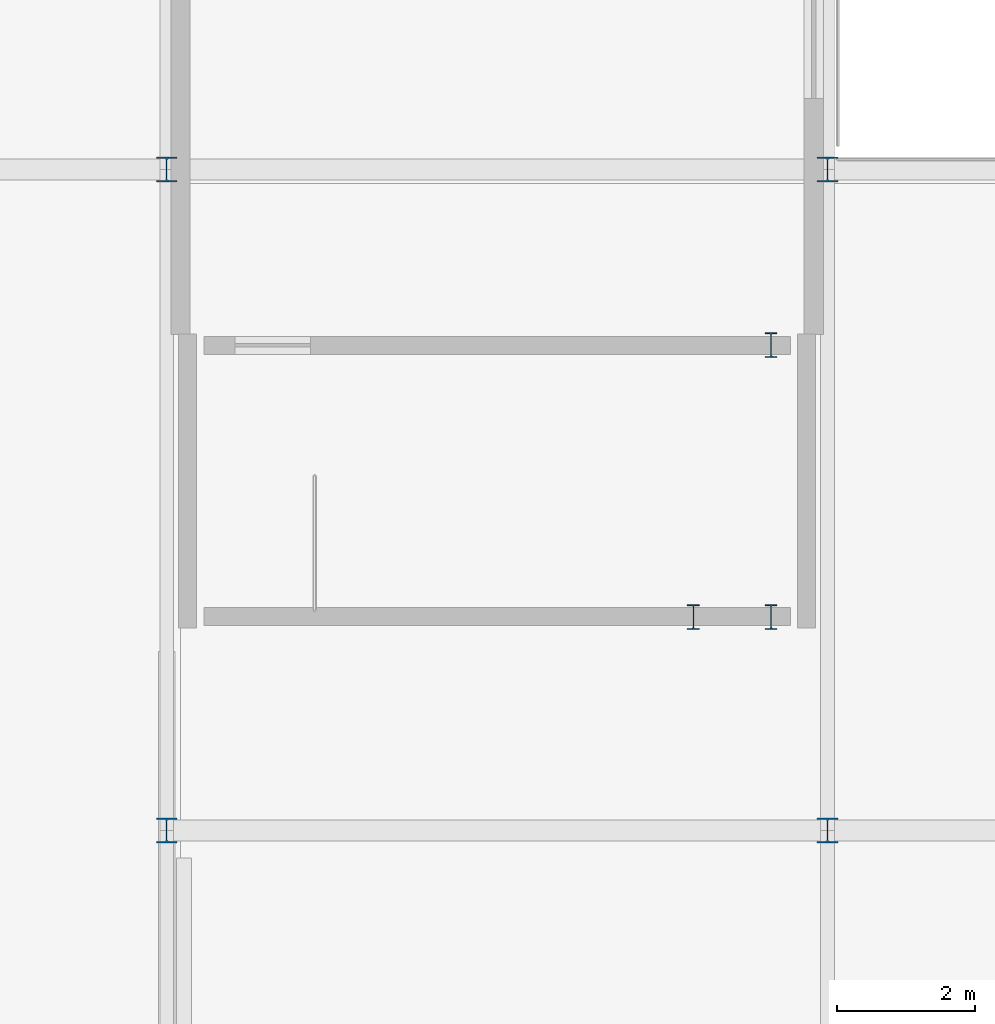
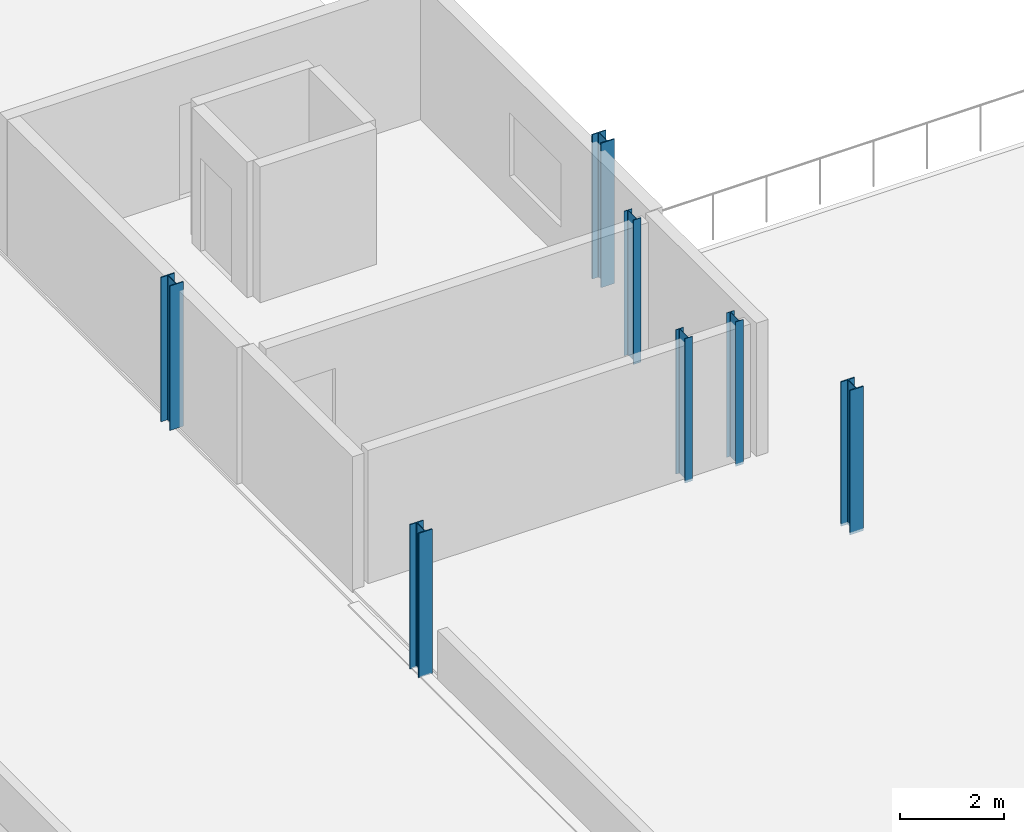
# One storey, part 1 of 53: 7 columns.
"""IFC4 building model written with IfcOpenShell, lengths in metres."""

from ifc_helpers import new_model, si_unit, direction, frame, origin, origin_2d, place, context, subcontext, project, spatial, i_section, extrude, material, material_profile, profile_set, type_object, element, save


model = new_model("IFC4")

# Units and contexts
model_context = context("Model", 3, precision=1e-05, world=origin(), true_north=direction((0.0, 1.0)))
body_context = subcontext(model_context, "Body", "Model", "MODEL_VIEW")
ifc_project = project(units=[si_unit("LENGTHUNIT", "METRE"), si_unit("AREAUNIT", "SQUARE_METRE"), si_unit("VOLUMEUNIT", "CUBIC_METRE"), si_unit("PLANEANGLEUNIT", "RADIAN"), si_unit("MASSUNIT", "GRAM", prefix="KILO")], contexts=[model_context])

# Site, building, storey
site_placement = place(None, origin())
site = spatial("IfcSite", under=ifc_project, at=site_placement, CompositionType="ELEMENT")
building_placement = place(site_placement, origin())
building = spatial("IfcBuilding", under=site, at=building_placement, Name="Zevrakil Square Congress Hotel", CompositionType="ELEMENT")
storey_placement = place(building_placement, frame((0.0, 0.0, 14.699951171875)))
storey = spatial("IfcBuildingStorey", under=building, at=storey_placement, Name="L04", CompositionType="ELEMENT", Elevation=14.699951171875)

# Columns
ifc_material_1 = material(Name="Steel S355", Category="steel")
ifc_material_profile_1 = material_profile(ifc_material_1, i_section(OverallWidth=0.300048828125, OverallDepth=0.360107421875, WebThickness=0.012451171875, FlangeThickness=0.0224609375, FilletRadius=0.027099609375, at=origin_2d()), Name="HEB 360")
ifc_profile_set_1 = profile_set([ifc_material_profile_1], Name="Steel S355")
column_type_1 = type_object("IfcColumnType", Name="COL-HEB360", PredefinedType="COLUMN", material=ifc_profile_set_1)
for number, where, z_axis, x_axis, name in (
    (1, (55.199951171875, 36.0, 0.0), (0.0, 0.0, 1.0), (1.0, 0.0, 0.0), "L04 column C-088"),
    (2, (55.199951171875, 45.60009765625, 0.0), (0.0, 0.0, 1.0), (1.0, 0.0, 0.0), "L04 column C-090"),
    (3, (64.800048828125, 36.0, 0.0), (0.0, 0.0, 1.0), (1.0, 0.0, 0.0), "L04 column C-103"),
    (4, (64.800048828125, 45.60009765625, 0.0), (0.0, 0.0, 1.0), (1.0, 0.0, 0.0), "L04 column C-104"),
):
    element("IfcColumn", number, at=place(storey_placement, frame(where, z_axis=z_axis, x_axis=x_axis)), inside=storey, type_object=column_type_1, Name=name, PredefinedType="COLUMN", context=body_context, shape_type="SweptSolid", body=[
        extrude(i_section(OverallWidth=0.300048828125, OverallDepth=0.360107421875, WebThickness=0.012451171875, FlangeThickness=0.0224609375, FilletRadius=0.027099609375, at=origin_2d()), origin(), (0.0, 0.0, 1.0), 3.400146484375),
    ])
ifc_material_2 = material(Name="Steel S355", Category="steel")
ifc_material_profile_2 = material_profile(ifc_material_2, i_section(OverallWidth=0.169921875, OverallDepth=0.360107421875, WebThickness=0.008056640625, FlangeThickness=0.0126953125, FilletRadius=0.01806640625, at=origin_2d()), Name="IPE 360")
ifc_profile_set_2 = profile_set([ifc_material_profile_2], Name="Steel S355")
column_type_2 = type_object("IfcColumnType", Name="COL-PILASTER-SHS180", PredefinedType="PILASTER", material=ifc_profile_set_2)
for number, where, z_axis, x_axis, name in (
    (5, (62.85009765625, 39.10009765625, 0.0), (0.0, 0.0, 1.0), (1.0, 0.0, 0.0), "L04 ST04 stair shaft post 1"),
    (6, (63.97998046875, 39.10009765625, 0.0), (0.0, 0.0, 1.0), (1.0, 0.0, 0.0), "L04 ST04 stair shaft post 2"),
    (7, (63.97998046875, 43.050048828125, 0.0), (0.0, 0.0, 1.0), (1.0, 0.0, 0.0), "L04 ST04 stair shaft post 3"),
):
    element("IfcColumn", number, at=place(storey_placement, frame(where, z_axis=z_axis, x_axis=x_axis)), inside=storey, type_object=column_type_2, Name=name, PredefinedType="PILASTER", context=body_context, shape_type="SweptSolid", body=[
        extrude(i_section(OverallWidth=0.169921875, OverallDepth=0.360107421875, WebThickness=0.008056640625, FlangeThickness=0.0126953125, FilletRadius=0.01806640625, at=origin_2d()), origin(), (0.0, 0.0, 1.0), 3.400146484375),
    ])

save(model, "model.ifc")
